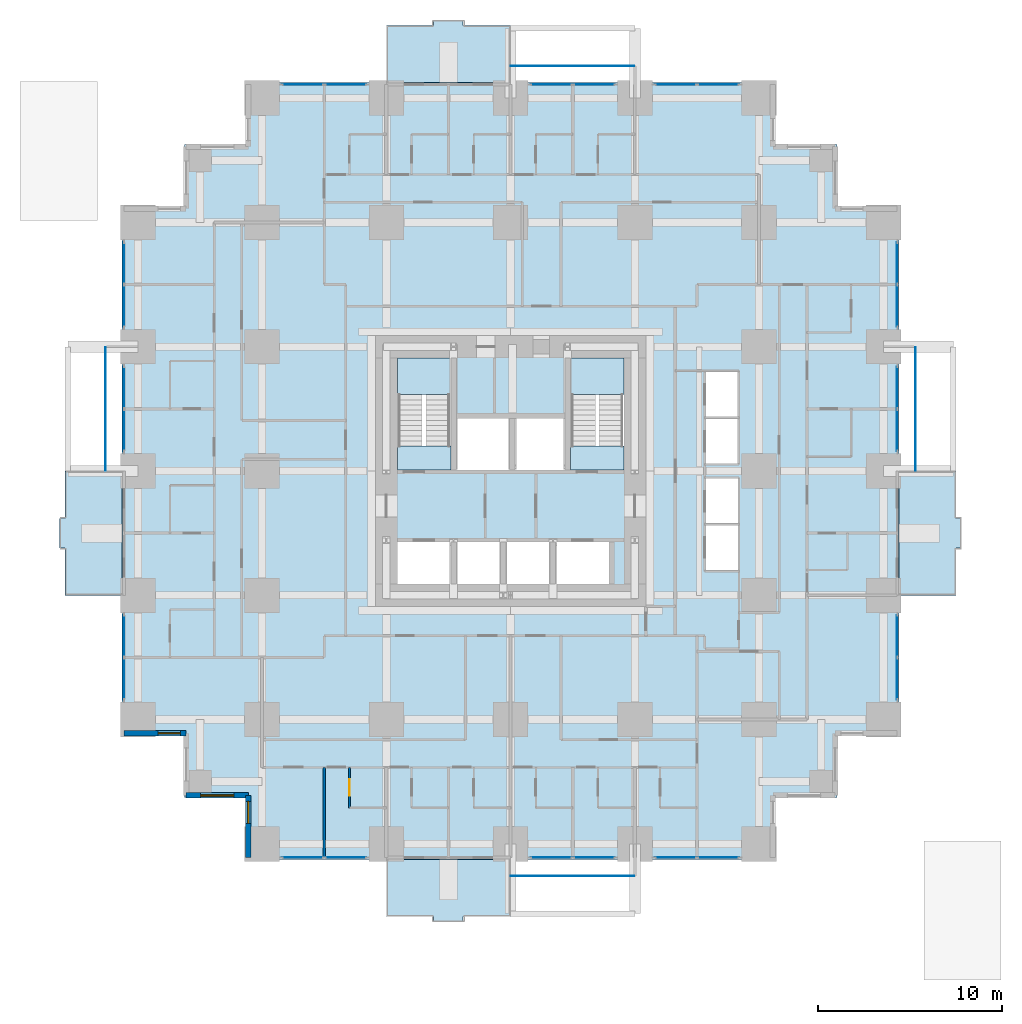
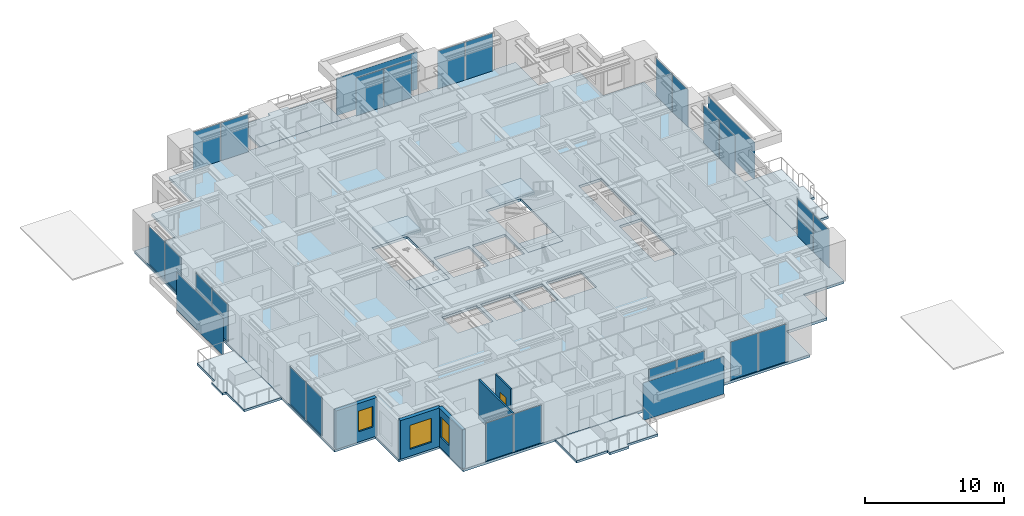
# One storey, part 7 of 14: 28 plates, 9 slabs, 5 walls, 3 windows, 1 door, 4 openings, 14 elements without a shape of their own.
"""IFC4 building model written with IfcOpenShell, lengths in metres."""

from ifc_helpers import new_model, si_unit, direction, frame, frame_2d, origin, origin_2d, place, context, subcontext, project, spatial, polyline, rectangle, outline, extrude, material, layer, layer_set, type_object, element, fill, aggregate, save


model = new_model("IFC4")

# Units and contexts
model_context = context("Model", 3, precision=1e-05, world=origin(), true_north=direction((0.0, 1.0)))
body_context = subcontext(model_context, "Body", "Model", "MODEL_VIEW")
ifc_project = project(units=[si_unit("LENGTHUNIT", "METRE"), si_unit("AREAUNIT", "SQUARE_METRE"), si_unit("VOLUMEUNIT", "CUBIC_METRE"), si_unit("PLANEANGLEUNIT", "RADIAN"), si_unit("MASSUNIT", "GRAM", prefix="KILO")], contexts=[model_context])

# Site, building, storey
site_placement = place(None, origin())
site = spatial("IfcSite", under=ifc_project, at=site_placement, CompositionType="ELEMENT")
building_placement = place(site_placement, origin())
building = spatial("IfcBuilding", under=site, at=building_placement, Name="Nyansa Garden Tower", CompositionType="ELEMENT")
storey_placement = place(building_placement, frame((0.0, 0.0, 18.0)))
storey = spatial("IfcBuildingStorey", under=building, at=storey_placement, Name="L04", CompositionType="ELEMENT", Elevation=18.0)

# Slabs
ifc_material_1 = material(Name="Concrete C40/50", Category="concrete")
ifc_layer_1 = layer(ifc_material_1, 0.199951171875)
ifc_layer_set_1 = layer_set([ifc_layer_1], Name="Balcony slab BS200")
slab_type_1 = type_object("IfcSlabType", Name="Balcony slab BS200", PredefinedType="FLOOR", material=ifc_layer_set_1)
slab_1_placement = place(storey_placement, frame((0.0, 0.0, -0.239990234375)))
element("IfcSlab", 1, at=slab_1_placement, inside=storey, type_object=slab_type_1, Name="Balcony L04 S", PredefinedType="FLOOR", context=body_context, shape_type="SweptSolid", body=[
    extrude(outline(polyline([(13.5, -0.85009765625), (20.25, -0.85009765625), (20.25, -3.949951171875), (17.675048828125, -3.949951171875), (17.675048828125, -4.25), (16.074951171875, -4.25), (16.074951171875, -3.949951171875), (13.5, -3.949951171875), (13.5, -0.85009765625)])), origin(), (0.0, 0.0, 1.0), 0.199951171875),
])
slab_2_placement = place(storey_placement, frame((0.0, 0.0, -0.239990234375)))
element("IfcSlab", 2, at=slab_2_placement, inside=storey, type_object=slab_type_1, Name="Balcony L04 E", PredefinedType="FLOOR", context=body_context, shape_type="SweptSolid", body=[
    extrude(outline(polyline([(41.35009765625, 13.5), (41.35009765625, 20.25), (44.449951171875, 20.25), (44.449951171875, 17.675048828125), (44.75, 17.675048828125), (44.75, 16.074951171875), (44.449951171875, 16.074951171875), (44.449951171875, 13.5), (41.35009765625, 13.5)])), origin(), (0.0, 0.0, 1.0), 0.199951171875),
])
slab_3_placement = place(storey_placement, frame((0.0, 0.0, -0.239990234375)))
element("IfcSlab", 3, at=slab_3_placement, inside=storey, type_object=slab_type_1, Name="Balcony L04 N", PredefinedType="FLOOR", context=body_context, shape_type="SweptSolid", body=[
    extrude(outline(polyline([(13.5, 41.35009765625), (20.25, 41.35009765625), (20.25, 44.449951171875), (17.675048828125, 44.449951171875), (17.675048828125, 44.75), (16.074951171875, 44.75), (16.074951171875, 44.449951171875), (13.5, 44.449951171875), (13.5, 41.35009765625)])), origin(), (0.0, 0.0, 1.0), 0.199951171875),
])
slab_4_placement = place(storey_placement, frame((0.0, 0.0, -0.239990234375)))
element("IfcSlab", 4, at=slab_4_placement, inside=storey, type_object=slab_type_1, Name="Balcony L04 W", PredefinedType="FLOOR", context=body_context, shape_type="SweptSolid", body=[
    extrude(outline(polyline([(-0.85009765625, 13.5), (-0.85009765625, 20.25), (-3.949951171875, 20.25), (-3.949951171875, 17.675048828125), (-4.25, 17.675048828125), (-4.25, 16.074951171875), (-3.949951171875, 16.074951171875), (-3.949951171875, 13.5), (-0.85009765625, 13.5)])), origin(), (0.0, 0.0, 1.0), 0.199951171875),
])

# Curtain wall, plates
ifc_material_2 = material(Name="Black anodised aluminium, dark tinted double glazing", Category="aluminium")
curtain_wall_type = type_object("IfcCurtainWallType", Name="Inner skin curtain wall ISW-A", PredefinedType="USERDEFINED", material=ifc_material_2)
curtain_wall_1_placement = place(storey_placement, origin())
curtain_wall_1 = element("IfcCurtainWall", 5, at=curtain_wall_1_placement, inside=storey, type_object=curtain_wall_type, Name="Inner skin curtain wall L04 E", ObjectType="UNITISED CURTAIN WALL", PredefinedType="USERDEFINED")
ifc_material_3 = material(Name="Dark tinted laminated double glazing", Category="glass")
ifc_layer_2 = layer(ifc_material_3, 0.031982421875)
ifc_layer_set_2 = layer_set([ifc_layer_2], Name="Dark tinted vision panel VP-A")
plate_type_1 = type_object("IfcPlateType", Name="Dark tinted vision panel VP-A", PredefinedType="CURTAIN_PANEL", material=ifc_layer_set_2)
plate_1_placement = place(storey_placement, frame((41.25, 8.96240234375, 0.0), z_axis=(0.0, 0.0, 1.0), x_axis=(0.0, 1.0, 0.0)))
plate_1 = element("IfcPlate", 6, at=plate_1_placement, type_object=plate_type_1, Name="ISW-A panel 1", PredefinedType="CURTAIN_PANEL", context=body_context, shape_type="SweptSolid", body=[
    extrude(rectangle(XDim=2.260009765625, YDim=0.031982421875, at=origin_2d()), origin(), (0.0, 0.0, 1.0), 3.31005859375),
])
plate_2_placement = place(storey_placement, frame((41.25, 11.28759765625, 0.0), z_axis=(0.0, 0.0, 1.0), x_axis=(0.0, 1.0, 0.0)))
plate_2 = element("IfcPlate", 7, at=plate_2_placement, type_object=plate_type_1, Name="ISW-A panel 2", PredefinedType="CURTAIN_PANEL", context=body_context, shape_type="SweptSolid", body=[
    extrude(rectangle(XDim=2.260009765625, YDim=0.031982421875, at=origin_2d()), origin(), (0.0, 0.0, 1.0), 3.31005859375),
])
aggregate(curtain_wall_1, [plate_1, plate_2])

curtain_wall_2_placement = place(storey_placement, origin())
curtain_wall_2 = element("IfcCurtainWall", 8, at=curtain_wall_2_placement, inside=storey, type_object=curtain_wall_type, Name="Inner skin curtain wall L04 E", ObjectType="UNITISED CURTAIN WALL", PredefinedType="USERDEFINED")
plate_3_placement = place(storey_placement, frame((41.25, 22.46240234375, 0.0), z_axis=(0.0, 0.0, 1.0), x_axis=(0.0, 1.0, 0.0)))
plate_3 = element("IfcPlate", 9, at=plate_3_placement, type_object=plate_type_1, Name="ISW-A panel 1", PredefinedType="CURTAIN_PANEL", context=body_context, shape_type="SweptSolid", body=[
    extrude(rectangle(XDim=2.260009765625, YDim=0.031982421875, at=origin_2d()), origin(), (0.0, 0.0, 1.0), 3.31005859375),
])
plate_4_placement = place(storey_placement, frame((41.25, 24.78759765625, 0.0), z_axis=(0.0, 0.0, 1.0), x_axis=(0.0, 1.0, 0.0)))
plate_4 = element("IfcPlate", 10, at=plate_4_placement, type_object=plate_type_1, Name="ISW-A panel 2", PredefinedType="CURTAIN_PANEL", context=body_context, shape_type="SweptSolid", body=[
    extrude(rectangle(XDim=2.260009765625, YDim=0.031982421875, at=origin_2d()), origin(), (0.0, 0.0, 1.0), 3.31005859375),
])
aggregate(curtain_wall_2, [plate_3, plate_4])

curtain_wall_3_placement = place(storey_placement, origin())
curtain_wall_3 = element("IfcCurtainWall", 11, at=curtain_wall_3_placement, inside=storey, type_object=curtain_wall_type, Name="Inner skin curtain wall L04 E", ObjectType="UNITISED CURTAIN WALL", PredefinedType="USERDEFINED")
plate_5_placement = place(storey_placement, frame((41.25, 29.21240234375, 0.0), z_axis=(0.0, 0.0, 1.0), x_axis=(0.0, 1.0, 0.0)))
plate_5 = element("IfcPlate", 12, at=plate_5_placement, type_object=plate_type_1, Name="ISW-A panel 1", PredefinedType="CURTAIN_PANEL", context=body_context, shape_type="SweptSolid", body=[
    extrude(rectangle(XDim=2.260009765625, YDim=0.031982421875, at=origin_2d()), origin(), (0.0, 0.0, 1.0), 3.31005859375),
])
plate_6_placement = place(storey_placement, frame((41.25, 31.53759765625, 0.0), z_axis=(0.0, 0.0, 1.0), x_axis=(0.0, 1.0, 0.0)))
plate_6 = element("IfcPlate", 13, at=plate_6_placement, type_object=plate_type_1, Name="ISW-A panel 2", PredefinedType="CURTAIN_PANEL", context=body_context, shape_type="SweptSolid", body=[
    extrude(rectangle(XDim=2.260009765625, YDim=0.031982421875, at=origin_2d()), origin(), (0.0, 0.0, 1.0), 3.31005859375),
])
aggregate(curtain_wall_3, [plate_5, plate_6])

curtain_wall_4_placement = place(storey_placement, origin())
curtain_wall_4 = element("IfcCurtainWall", 14, at=curtain_wall_4_placement, inside=storey, type_object=curtain_wall_type, Name="Inner skin curtain wall L04 N", ObjectType="UNITISED CURTAIN WALL", PredefinedType="USERDEFINED")
plate_7_placement = place(storey_placement, frame((11.28759765625, 41.25, 0.0), z_axis=(0.0, 0.0, 1.0), x_axis=(-1.0, 0.0, 0.0)))
plate_7 = element("IfcPlate", 15, at=plate_7_placement, type_object=plate_type_1, Name="ISW-A panel 1", PredefinedType="CURTAIN_PANEL", context=body_context, shape_type="SweptSolid", body=[
    extrude(rectangle(XDim=2.260009765625, YDim=0.031982421875, at=origin_2d()), origin(), (0.0, 0.0, 1.0), 3.31005859375),
])
plate_8_placement = place(storey_placement, frame((8.96240234375, 41.25, 0.0), z_axis=(0.0, 0.0, 1.0), x_axis=(-1.0, 0.0, 0.0)))
plate_8 = element("IfcPlate", 16, at=plate_8_placement, type_object=plate_type_1, Name="ISW-A panel 2", PredefinedType="CURTAIN_PANEL", context=body_context, shape_type="SweptSolid", body=[
    extrude(rectangle(XDim=2.260009765625, YDim=0.031982421875, at=origin_2d()), origin(), (0.0, 0.0, 1.0), 3.31005859375),
])
aggregate(curtain_wall_4, [plate_7, plate_8])

curtain_wall_5_placement = place(storey_placement, origin())
curtain_wall_5 = element("IfcCurtainWall", 17, at=curtain_wall_5_placement, inside=storey, type_object=curtain_wall_type, Name="Inner skin curtain wall L04 N", ObjectType="UNITISED CURTAIN WALL", PredefinedType="USERDEFINED")
plate_9_placement = place(storey_placement, frame((31.53759765625, 41.25, 0.0), z_axis=(0.0, 0.0, 1.0), x_axis=(-1.0, 0.0, 0.0)))
plate_9 = element("IfcPlate", 18, at=plate_9_placement, type_object=plate_type_1, Name="ISW-A panel 1", PredefinedType="CURTAIN_PANEL", context=body_context, shape_type="SweptSolid", body=[
    extrude(rectangle(XDim=2.260009765625, YDim=0.031982421875, at=origin_2d()), origin(), (0.0, 0.0, 1.0), 3.31005859375),
])
plate_10_placement = place(storey_placement, frame((29.21240234375, 41.25, 0.0), z_axis=(0.0, 0.0, 1.0), x_axis=(-1.0, 0.0, 0.0)))
plate_10 = element("IfcPlate", 19, at=plate_10_placement, type_object=plate_type_1, Name="ISW-A panel 2", PredefinedType="CURTAIN_PANEL", context=body_context, shape_type="SweptSolid", body=[
    extrude(rectangle(XDim=2.260009765625, YDim=0.031982421875, at=origin_2d()), origin(), (0.0, 0.0, 1.0), 3.31005859375),
])
aggregate(curtain_wall_5, [plate_9, plate_10])

curtain_wall_6_placement = place(storey_placement, origin())
curtain_wall_6 = element("IfcCurtainWall", 20, at=curtain_wall_6_placement, inside=storey, type_object=curtain_wall_type, Name="Inner skin curtain wall L04 N", ObjectType="UNITISED CURTAIN WALL", PredefinedType="USERDEFINED")
plate_11_placement = place(storey_placement, frame((24.78759765625, 41.25, 0.0), z_axis=(0.0, 0.0, 1.0), x_axis=(-1.0, 0.0, 0.0)))
plate_11 = element("IfcPlate", 21, at=plate_11_placement, type_object=plate_type_1, Name="ISW-A panel 1", PredefinedType="CURTAIN_PANEL", context=body_context, shape_type="SweptSolid", body=[
    extrude(rectangle(XDim=2.260009765625, YDim=0.031982421875, at=origin_2d()), origin(), (0.0, 0.0, 1.0), 3.31005859375),
])
plate_12_placement = place(storey_placement, frame((22.46240234375, 41.25, 0.0), z_axis=(0.0, 0.0, 1.0), x_axis=(-1.0, 0.0, 0.0)))
plate_12 = element("IfcPlate", 22, at=plate_12_placement, type_object=plate_type_1, Name="ISW-A panel 2", PredefinedType="CURTAIN_PANEL", context=body_context, shape_type="SweptSolid", body=[
    extrude(rectangle(XDim=2.260009765625, YDim=0.031982421875, at=origin_2d()), origin(), (0.0, 0.0, 1.0), 3.31005859375),
])
aggregate(curtain_wall_6, [plate_11, plate_12])

curtain_wall_7_placement = place(storey_placement, origin())
curtain_wall_7 = element("IfcCurtainWall", 23, at=curtain_wall_7_placement, inside=storey, type_object=curtain_wall_type, Name="Inner skin curtain wall L04 W", ObjectType="UNITISED CURTAIN WALL", PredefinedType="USERDEFINED")
plate_13_placement = place(storey_placement, frame((-0.75, 11.28759765625, 0.0), z_axis=(0.0, 0.0, 1.0), x_axis=(0.0, -1.0, 0.0)))
plate_13 = element("IfcPlate", 24, at=plate_13_placement, type_object=plate_type_1, Name="ISW-A panel 1", PredefinedType="CURTAIN_PANEL", context=body_context, shape_type="SweptSolid", body=[
    extrude(rectangle(XDim=2.260009765625, YDim=0.031982421875, at=origin_2d()), origin(), (0.0, 0.0, 1.0), 3.31005859375),
])
plate_14_placement = place(storey_placement, frame((-0.75, 8.96240234375, 0.0), z_axis=(0.0, 0.0, 1.0), x_axis=(0.0, -1.0, 0.0)))
plate_14 = element("IfcPlate", 25, at=plate_14_placement, type_object=plate_type_1, Name="ISW-A panel 2", PredefinedType="CURTAIN_PANEL", context=body_context, shape_type="SweptSolid", body=[
    extrude(rectangle(XDim=2.260009765625, YDim=0.031982421875, at=origin_2d()), origin(), (0.0, 0.0, 1.0), 3.31005859375),
])
aggregate(curtain_wall_7, [plate_13, plate_14])

curtain_wall_8_placement = place(storey_placement, origin())
curtain_wall_8 = element("IfcCurtainWall", 26, at=curtain_wall_8_placement, inside=storey, type_object=curtain_wall_type, Name="Inner skin curtain wall L04 W", ObjectType="UNITISED CURTAIN WALL", PredefinedType="USERDEFINED")
plate_15_placement = place(storey_placement, frame((-0.75, 31.53759765625, 0.0), z_axis=(0.0, 0.0, 1.0), x_axis=(0.0, -1.0, 0.0)))
plate_15 = element("IfcPlate", 27, at=plate_15_placement, type_object=plate_type_1, Name="ISW-A panel 1", PredefinedType="CURTAIN_PANEL", context=body_context, shape_type="SweptSolid", body=[
    extrude(rectangle(XDim=2.260009765625, YDim=0.031982421875, at=origin_2d()), origin(), (0.0, 0.0, 1.0), 3.31005859375),
])
plate_16_placement = place(storey_placement, frame((-0.75, 29.21240234375, 0.0), z_axis=(0.0, 0.0, 1.0), x_axis=(0.0, -1.0, 0.0)))
plate_16 = element("IfcPlate", 28, at=plate_16_placement, type_object=plate_type_1, Name="ISW-A panel 2", PredefinedType="CURTAIN_PANEL", context=body_context, shape_type="SweptSolid", body=[
    extrude(rectangle(XDim=2.260009765625, YDim=0.031982421875, at=origin_2d()), origin(), (0.0, 0.0, 1.0), 3.31005859375),
])
aggregate(curtain_wall_8, [plate_15, plate_16])

curtain_wall_9_placement = place(storey_placement, origin())
curtain_wall_9 = element("IfcCurtainWall", 29, at=curtain_wall_9_placement, inside=storey, type_object=curtain_wall_type, Name="Inner skin curtain wall L04 W", ObjectType="UNITISED CURTAIN WALL", PredefinedType="USERDEFINED")
plate_17_placement = place(storey_placement, frame((-0.75, 24.78759765625, 0.0), z_axis=(0.0, 0.0, 1.0), x_axis=(0.0, -1.0, 0.0)))
plate_17 = element("IfcPlate", 30, at=plate_17_placement, type_object=plate_type_1, Name="ISW-A panel 1", PredefinedType="CURTAIN_PANEL", context=body_context, shape_type="SweptSolid", body=[
    extrude(rectangle(XDim=2.260009765625, YDim=0.031982421875, at=origin_2d()), origin(), (0.0, 0.0, 1.0), 3.31005859375),
])
plate_18_placement = place(storey_placement, frame((-0.75, 22.46240234375, 0.0), z_axis=(0.0, 0.0, 1.0), x_axis=(0.0, -1.0, 0.0)))
plate_18 = element("IfcPlate", 31, at=plate_18_placement, type_object=plate_type_1, Name="ISW-A panel 2", PredefinedType="CURTAIN_PANEL", context=body_context, shape_type="SweptSolid", body=[
    extrude(rectangle(XDim=2.260009765625, YDim=0.031982421875, at=origin_2d()), origin(), (0.0, 0.0, 1.0), 3.31005859375),
])
aggregate(curtain_wall_9, [plate_17, plate_18])

curtain_wall_10_placement = place(storey_placement, origin())
curtain_wall_10 = element("IfcCurtainWall", 32, at=curtain_wall_10_placement, inside=storey, type_object=curtain_wall_type, Name="Inner skin curtain wall L04 S", ObjectType="UNITISED CURTAIN WALL", PredefinedType="USERDEFINED")
plate_19_placement = place(storey_placement, frame((8.96240234375, -0.75, 0.0), z_axis=(0.0, 0.0, 1.0), x_axis=(1.0, 0.0, 0.0)))
plate_19 = element("IfcPlate", 33, at=plate_19_placement, type_object=plate_type_1, Name="ISW-A panel 1", PredefinedType="CURTAIN_PANEL", context=body_context, shape_type="SweptSolid", body=[
    extrude(rectangle(XDim=2.260009765625, YDim=0.031982421875, at=origin_2d()), origin(), (0.0, 0.0, 1.0), 3.31005859375),
])
plate_20_placement = place(storey_placement, frame((11.28759765625, -0.75, 0.0), z_axis=(0.0, 0.0, 1.0), x_axis=(1.0, 0.0, 0.0)))
plate_20 = element("IfcPlate", 34, at=plate_20_placement, type_object=plate_type_1, Name="ISW-A panel 2", PredefinedType="CURTAIN_PANEL", context=body_context, shape_type="SweptSolid", body=[
    extrude(rectangle(XDim=2.260009765625, YDim=0.031982421875, at=origin_2d()), origin(), (0.0, 0.0, 1.0), 3.31005859375),
])
aggregate(curtain_wall_10, [plate_19, plate_20])

curtain_wall_11_placement = place(storey_placement, origin())
curtain_wall_11 = element("IfcCurtainWall", 35, at=curtain_wall_11_placement, inside=storey, type_object=curtain_wall_type, Name="Inner skin curtain wall L04 S", ObjectType="UNITISED CURTAIN WALL", PredefinedType="USERDEFINED")
plate_21_placement = place(storey_placement, frame((22.46240234375, -0.75, 0.0), z_axis=(0.0, 0.0, 1.0), x_axis=(1.0, 0.0, 0.0)))
plate_21 = element("IfcPlate", 36, at=plate_21_placement, type_object=plate_type_1, Name="ISW-A panel 1", PredefinedType="CURTAIN_PANEL", context=body_context, shape_type="SweptSolid", body=[
    extrude(rectangle(XDim=2.260009765625, YDim=0.031982421875, at=origin_2d()), origin(), (0.0, 0.0, 1.0), 3.31005859375),
])
plate_22_placement = place(storey_placement, frame((24.78759765625, -0.75, 0.0), z_axis=(0.0, 0.0, 1.0), x_axis=(1.0, 0.0, 0.0)))
plate_22 = element("IfcPlate", 37, at=plate_22_placement, type_object=plate_type_1, Name="ISW-A panel 2", PredefinedType="CURTAIN_PANEL", context=body_context, shape_type="SweptSolid", body=[
    extrude(rectangle(XDim=2.260009765625, YDim=0.031982421875, at=origin_2d()), origin(), (0.0, 0.0, 1.0), 3.31005859375),
])
aggregate(curtain_wall_11, [plate_21, plate_22])

curtain_wall_12_placement = place(storey_placement, origin())
curtain_wall_12 = element("IfcCurtainWall", 38, at=curtain_wall_12_placement, inside=storey, type_object=curtain_wall_type, Name="Inner skin curtain wall L04 S", ObjectType="UNITISED CURTAIN WALL", PredefinedType="USERDEFINED")
plate_23_placement = place(storey_placement, frame((29.21240234375, -0.75, 0.0), z_axis=(0.0, 0.0, 1.0), x_axis=(1.0, 0.0, 0.0)))
plate_23 = element("IfcPlate", 39, at=plate_23_placement, type_object=plate_type_1, Name="ISW-A panel 1", PredefinedType="CURTAIN_PANEL", context=body_context, shape_type="SweptSolid", body=[
    extrude(rectangle(XDim=2.260009765625, YDim=0.031982421875, at=origin_2d()), origin(), (0.0, 0.0, 1.0), 3.31005859375),
])
plate_24_placement = place(storey_placement, frame((31.53759765625, -0.75, 0.0), z_axis=(0.0, 0.0, 1.0), x_axis=(1.0, 0.0, 0.0)))
plate_24 = element("IfcPlate", 40, at=plate_24_placement, type_object=plate_type_1, Name="ISW-A panel 2", PredefinedType="CURTAIN_PANEL", context=body_context, shape_type="SweptSolid", body=[
    extrude(rectangle(XDim=2.260009765625, YDim=0.031982421875, at=origin_2d()), origin(), (0.0, 0.0, 1.0), 3.31005859375),
])
aggregate(curtain_wall_12, [plate_23, plate_24])

# Slab
ifc_material_4 = material(Name="Concrete C40/50", Category="concrete")
ifc_layer_3 = layer(ifc_material_4, 0.22509765625)
ifc_layer_set_3 = layer_set([ifc_layer_3], Name="Floor slab FS225")
slab_type_2 = type_object("IfcSlabType", Name="Floor slab FS225", PredefinedType="FLOOR", material=ifc_layer_set_3)
slab_5_placement = place(storey_placement, frame((0.0, 0.0, -0.22509765625)))
element("IfcSlab", 41, at=slab_5_placement, inside=storey, type_object=slab_type_2, Name="Floor slab L04", PredefinedType="FLOOR", context=body_context, shape_type="SweptSolid", body=[
    extrude(outline(polyline([(41.35009765625, 5.89990234375), (37.97509765625, 5.89990234375), (37.97509765625, 2.52490234375), (34.60009765625, 2.52490234375), (34.60009765625, -0.85009765625), (5.89990234375, -0.85009765625), (5.89990234375, 2.52490234375), (2.52490234375, 2.52490234375), (2.52490234375, 5.89990234375), (-0.85009765625, 5.89990234375), (-0.85009765625, 34.60009765625), (2.52490234375, 34.60009765625), (2.52490234375, 37.97509765625), (5.89990234375, 37.97509765625), (5.89990234375, 41.35009765625), (34.60009765625, 41.35009765625), (34.60009765625, 37.97509765625), (37.97509765625, 37.97509765625), (37.97509765625, 34.60009765625), (41.35009765625, 34.60009765625), (41.35009765625, 5.89990234375)]), holes=[polyline([(14.10009765625, 14.10009765625), (17.0, 14.10009765625), (17.0, 16.39990234375), (14.10009765625, 16.39990234375), (14.10009765625, 14.10009765625)]), polyline([(17.300048828125, 14.10009765625), (19.699951171875, 14.10009765625), (19.699951171875, 16.39990234375), (17.300048828125, 16.39990234375), (17.300048828125, 14.10009765625)]), polyline([(20.0, 14.10009765625), (22.39990234375, 14.10009765625), (22.39990234375, 16.39990234375), (20.0, 16.39990234375), (20.0, 14.10009765625)]), polyline([(22.699951171875, 14.10009765625), (25.60009765625, 14.10009765625), (25.60009765625, 16.39990234375), (22.699951171875, 16.39990234375), (22.699951171875, 14.10009765625)]), polyline([(17.300048828125, 20.300048828125), (20.199951171875, 20.300048828125), (20.199951171875, 23.10009765625), (17.300048828125, 23.10009765625), (17.300048828125, 20.300048828125)]), polyline([(20.5, 20.300048828125), (23.199951171875, 20.300048828125), (23.199951171875, 23.10009765625), (20.5, 23.10009765625), (20.5, 20.300048828125)]), polyline([(30.800048828125, 14.800048828125), (32.64990234375, 14.800048828125), (32.64990234375, 19.89990234375), (30.800048828125, 19.89990234375), (30.800048828125, 14.800048828125)]), polyline([(30.800048828125, 20.60009765625), (32.64990234375, 20.60009765625), (32.64990234375, 25.699951171875), (30.800048828125, 25.699951171875), (30.800048828125, 20.60009765625)]), polyline([(14.10009765625, 20.300048828125), (17.0, 20.300048828125), (17.0, 26.39990234375), (14.10009765625, 26.39990234375), (14.10009765625, 20.300048828125)]), polyline([(23.5, 20.300048828125), (26.39990234375, 20.300048828125), (26.39990234375, 26.39990234375), (23.5, 26.39990234375), (23.5, 20.300048828125)])]), origin(), (0.0, 0.0, 1.0), 0.22509765625),
])

# Plates
ifc_material_5 = material(Name="Dark tinted laminated glass", Category="glass")
ifc_layer_4 = layer(ifc_material_5, 0.02392578125)
ifc_layer_set_4 = layer_set([ifc_layer_4], Name="Outer skin glass panel OS1")
plate_type_2 = type_object("IfcPlateType", Name="Outer skin glass panel OS1", PredefinedType="USERDEFINED", material=ifc_layer_set_4)
for number, where, z_axis, x_axis, name in (
    (42, (42.25, 23.625, -0.22509765625), (0.0, 0.0, 1.0), (0.0, 1.0, 0.0), "Outer skin glass panel L04"),
    (43, (23.625, 42.25, -0.22509765625), (0.0, 0.0, 1.0), (1.0, 0.0, 0.0), "Outer skin glass panel L04"),
    (44, (-1.75, 23.625, -0.22509765625), (0.0, 0.0, 1.0), (0.0, 1.0, 0.0), "Outer skin glass panel L04"),
    (45, (23.625, -1.75, -0.22509765625), (0.0, 0.0, 1.0), (1.0, 0.0, 0.0), "Outer skin glass panel L04"),
):
    element("IfcPlate", number, at=place(storey_placement, frame(where, z_axis=z_axis, x_axis=x_axis)), inside=storey, type_object=plate_type_2, Name=name, ObjectType="OUTER SKIN GLASS", PredefinedType="USERDEFINED", context=body_context, shape_type="SweptSolid", body=[
        extrude(rectangle(XDim=6.7099609375, YDim=0.02392578125, at=origin_2d()), origin(), (0.0, 0.0, 1.0), 3.300048828125),
    ])

# Stair, slabs
ifc_material_6 = material(Name="Precast concrete C40/50", Category="concrete")
stair_type_1 = type_object("IfcStairType", Name="Stair S1 164x280", PredefinedType="HALF_TURN_STAIR", material=ifc_material_6)
stair_1_placement = place(storey_placement, origin())
stair_1 = element("IfcStair", 46, at=stair_1_placement, inside=storey, type_object=stair_type_1, Name="Stair S1 L04", PredefinedType="HALF_TURN_STAIR")
ifc_material_7 = material(Name="Concrete C40/50", Category="concrete")
ifc_layer_5 = layer(ifc_material_7, 0.199951171875)
ifc_layer_set_5 = layer_set([ifc_layer_5], Name="Stair landing SL200")
slab_type_3 = type_object("IfcSlabType", Name="Stair landing SL200", PredefinedType="LANDING", material=ifc_layer_set_5)
slab_6_placement = place(storey_placement, frame((0.0, 0.0, -0.199951171875)))
slab_6 = element("IfcSlab", 47, at=slab_6_placement, type_object=slab_type_3, Name="S1 landing 1", PredefinedType="LANDING", context=body_context, shape_type="SweptSolid", body=[
    extrude(outline(polyline([(14.10009765625, 20.300048828125), (17.0, 20.300048828125), (17.0, 21.60009765625), (14.10009765625, 21.60009765625), (14.10009765625, 20.300048828125)])), origin(), (0.0, 0.0, 1.0), 0.199951171875),
])
slab_7_placement = place(storey_placement, frame((0.0, 0.0, 1.60009765625)))
slab_7 = element("IfcSlab", 48, at=slab_7_placement, type_object=slab_type_3, Name="S1 landing 2", PredefinedType="LANDING", context=body_context, shape_type="SweptSolid", body=[
    extrude(outline(polyline([(14.10009765625, 24.39990234375), (17.0, 24.39990234375), (17.0, 26.39990234375), (14.10009765625, 26.39990234375), (14.10009765625, 24.39990234375)])), origin(), (0.0, 0.0, 1.0), 0.199951171875),
])
aggregate(stair_1, [slab_6, slab_7])

ifc_material_8 = material(Name="Precast concrete C40/50", Category="concrete")
stair_type_2 = type_object("IfcStairType", Name="Stair S2 164x280", PredefinedType="HALF_TURN_STAIR", material=ifc_material_8)
stair_2_placement = place(storey_placement, origin())
stair_2 = element("IfcStair", 49, at=stair_2_placement, inside=storey, type_object=stair_type_2, Name="Stair S2 L04", PredefinedType="HALF_TURN_STAIR")
slab_8_placement = place(storey_placement, frame((0.0, 0.0, -0.199951171875)))
slab_8 = element("IfcSlab", 50, at=slab_8_placement, type_object=slab_type_3, Name="S2 landing 1", PredefinedType="LANDING", context=body_context, shape_type="SweptSolid", body=[
    extrude(outline(polyline([(23.5, 20.300048828125), (26.39990234375, 20.300048828125), (26.39990234375, 21.60009765625), (23.5, 21.60009765625), (23.5, 20.300048828125)])), origin(), (0.0, 0.0, 1.0), 0.199951171875),
])
slab_9_placement = place(storey_placement, frame((0.0, 0.0, 1.60009765625)))
slab_9 = element("IfcSlab", 51, at=slab_9_placement, type_object=slab_type_3, Name="S2 landing 2", PredefinedType="LANDING", context=body_context, shape_type="SweptSolid", body=[
    extrude(outline(polyline([(23.5, 24.39990234375), (26.39990234375, 24.39990234375), (26.39990234375, 26.39990234375), (23.5, 26.39990234375), (23.5, 24.39990234375)])), origin(), (0.0, 0.0, 1.0), 0.199951171875),
])
aggregate(stair_2, [slab_8, slab_9])

# Wall
ifc_material_9 = material(Name="Blockwork, plastered both sides", Category="masonry")
ifc_layer_6 = layer(ifc_material_9, 0.14990234375)
ifc_layer_set_6 = layer_set([ifc_layer_6], Name="Partition PW150")
wall_type_1 = type_object("IfcWallType", Name="Partition PW150", PredefinedType="PARTITIONING", material=ifc_layer_set_6)
wall_1_placement = place(storey_placement, frame((10.125, -0.73388671875, 0.0), z_axis=(0.0, 0.0, 1.0), x_axis=(0.0, 1.0, 0.0)))
element("IfcWall", 52, at=wall_1_placement, inside=storey, type_object=wall_type_1, Name="Partition", PredefinedType="PARTITIONING", context=body_context, shape_type="SweptSolid", body=[
    extrude(rectangle(XDim=4.8837890625, YDim=0.14990234375, at=frame_2d((2.44189453125, 0.0))), origin(), (0.0, 0.0, 1.0), 3.375),
])

# Wall, opening, window
ifc_material_10 = material(Name="Turquoise glazed tile on concrete blockwork", Category="masonry")
ifc_layer_7 = layer(ifc_material_10, 0.300048828125)
ifc_layer_set_7 = layer_set([ifc_layer_7], Name="Tiled corner wall TW300")
wall_type_2 = type_object("IfcWallType", Name="Tiled corner wall TW300", PredefinedType="SOLIDWALL", material=ifc_layer_set_7)
wall_2_placement = place(storey_placement, frame((-0.75, 6.0, 0.0), z_axis=(0.0, 0.0, 1.0), x_axis=(1.0, 0.0, 0.0)))
wall_2 = element("IfcWall", 53, at=wall_2_placement, inside=storey, type_object=wall_type_2, Name="Tiled corner wall L04", PredefinedType="SOLIDWALL", context=body_context, shape_type="SweptSolid", body=[
    extrude(rectangle(XDim=3.375, YDim=0.300048828125, at=frame_2d((1.6875, 0.0))), origin(), (0.0, 0.0, 1.0), 3.375),
])
opening_1_placement = place(wall_2_placement, frame((1.857421875, 0.0, 0.89990234375)))
opening_1 = element("IfcOpeningElement", 54, at=opening_1_placement, cuts=wall_2, Name="Opening W4", PredefinedType="OPENING", context=body_context, shape_type="SweptSolid", body=[
    extrude(rectangle(XDim=1.199951171875, YDim=1.800048828125, at=frame_2d((0.60009765625, 0.89990234375))), frame((0.0, 0.159912109375, 0.0), z_axis=(0.0, -1.0, 0.0), x_axis=(1.0, 0.0, 0.0)), (0.0, 0.0, 1.0), 0.320068359375),
])
ifc_material_11 = material(Name="Black aluminium frame, dark tinted double glazing", Category="aluminium")
window_type_1 = type_object("IfcWindowType", Name="Window W4 1200x1800", PartitioningType="SINGLE_PANEL", PredefinedType="WINDOW", material=ifc_material_11)
window_1_placement = place(opening_1_placement, origin())
window_1 = element("IfcWindow", 55, at=window_1_placement, inside=storey, type_object=window_type_1, Name="Corner window L04", OverallHeight=1.800048828125, OverallWidth=1.199951171875, PartitioningType="SINGLE_PANEL", PredefinedType="WINDOW", context=body_context, shape_type="SweptSolid", body=[
    extrude(rectangle(XDim=1.199951171875, YDim=1.800048828125, at=frame_2d((0.60009765625, 0.89990234375))), frame((0.0, 0.030029296875, 0.0), z_axis=(0.0, -1.0, 0.0), x_axis=(1.0, 0.0, 0.0)), (0.0, 0.0, 1.0), 0.06005859375),
])
fill(opening_1, window_1)

wall_3_placement = place(storey_placement, frame((2.625, 2.625, 0.0), z_axis=(0.0, 0.0, 1.0), x_axis=(1.0, 0.0, 0.0)))
wall_3 = element("IfcWall", 56, at=wall_3_placement, inside=storey, type_object=wall_type_2, Name="Tiled corner wall L04", PredefinedType="SOLIDWALL", context=body_context, shape_type="SweptSolid", body=[
    extrude(rectangle(XDim=3.375, YDim=0.300048828125, at=frame_2d((1.6875, 0.0))), origin(), (0.0, 0.0, 1.0), 3.375),
])
opening_2_placement = place(wall_3_placement, frame((0.78759765625, 0.0, 0.60009765625)))
opening_2 = element("IfcOpeningElement", 57, at=opening_2_placement, cuts=wall_3, Name="Opening W2", PredefinedType="OPENING", context=body_context, shape_type="SweptSolid", body=[
    extrude(rectangle(XDim=1.800048828125, YDim=2.10009765625, at=frame_2d((0.89990234375, 1.050048828125))), frame((0.0, 0.159912109375, 0.0), z_axis=(0.0, -1.0, 0.0), x_axis=(1.0, 0.0, 0.0)), (0.0, 0.0, 1.0), 0.320068359375),
])
ifc_material_12 = material(Name="Black aluminium frame, dark tinted double glazing", Category="aluminium")
window_type_2 = type_object("IfcWindowType", Name="Window W2 1800x2100", PartitioningType="SINGLE_PANEL", PredefinedType="WINDOW", material=ifc_material_12)
window_2_placement = place(opening_2_placement, origin())
window_2 = element("IfcWindow", 58, at=window_2_placement, inside=storey, type_object=window_type_2, Name="Corner window L04", OverallHeight=2.10009765625, OverallWidth=1.800048828125, PartitioningType="SINGLE_PANEL", PredefinedType="WINDOW", context=body_context, shape_type="SweptSolid", body=[
    extrude(rectangle(XDim=1.800048828125, YDim=2.10009765625, at=frame_2d((0.89990234375, 1.050048828125))), frame((0.0, 0.030029296875, 0.0), z_axis=(0.0, -1.0, 0.0), x_axis=(1.0, 0.0, 0.0)), (0.0, 0.0, 1.0), 0.06005859375),
])
fill(opening_2, window_2)

wall_4_placement = place(storey_placement, frame((6.0, 2.625, 0.0), z_axis=(0.0, 0.0, 1.0), x_axis=(0.0, -1.0, 0.0)))
wall_4 = element("IfcWall", 59, at=wall_4_placement, inside=storey, type_object=wall_type_2, Name="Tiled corner wall L04", PredefinedType="SOLIDWALL", context=body_context, shape_type="SweptSolid", body=[
    extrude(rectangle(XDim=3.375, YDim=0.300048828125, at=frame_2d((1.6875, 0.0))), origin(), (0.0, 0.0, 1.0), 3.375),
])
opening_3_placement = place(wall_4_placement, frame((0.3173828125, 0.0, 0.89990234375)))
opening_3 = element("IfcOpeningElement", 60, at=opening_3_placement, cuts=wall_4, Name="Opening W4", PredefinedType="OPENING", context=body_context, shape_type="SweptSolid", body=[
    extrude(rectangle(XDim=1.199951171875, YDim=1.800048828125, at=frame_2d((0.60009765625, 0.89990234375))), frame((0.0, 0.159912109375, 0.0), z_axis=(0.0, -1.0, 0.0), x_axis=(1.0, 0.0, 0.0)), (0.0, 0.0, 1.0), 0.320068359375),
])
window_3_placement = place(opening_3_placement, origin())
window_3 = element("IfcWindow", 61, at=window_3_placement, inside=storey, type_object=window_type_1, Name="Corner window L04", OverallHeight=1.800048828125, OverallWidth=1.199951171875, PartitioningType="SINGLE_PANEL", PredefinedType="WINDOW", context=body_context, shape_type="SweptSolid", body=[
    extrude(rectangle(XDim=1.199951171875, YDim=1.800048828125, at=frame_2d((0.60009765625, 0.89990234375))), frame((0.0, 0.030029296875, 0.0), z_axis=(0.0, -1.0, 0.0), x_axis=(1.0, 0.0, 0.0)), (0.0, 0.0, 1.0), 0.06005859375),
])
fill(opening_3, window_3)

# Wall, opening, door
ifc_material_13 = material(Name="Moisture resistant board on steel studs, tiled", Category="steel")
ifc_layer_8 = layer(ifc_material_13, 0.10009765625)
ifc_layer_set_8 = layer_set([ifc_layer_8], Name="Wet wall PW100")
wall_type_3 = type_object("IfcWallType", Name="Wet wall PW100", PredefinedType="PARTITIONING", material=ifc_layer_set_8)
wall_5_placement = place(storey_placement, frame((11.5, 1.949951171875, 0.0), z_axis=(0.0, 0.0, 1.0), x_axis=(0.0, 1.0, 0.0)))
wall_5 = element("IfcWall", 62, at=wall_5_placement, inside=storey, type_object=wall_type_3, Name="Wet wall", PredefinedType="PARTITIONING", context=body_context, shape_type="SweptSolid", body=[
    extrude(rectangle(XDim=2.199951171875, YDim=0.10009765625, at=frame_2d((1.10009765625, 0.0))), origin(), (0.0, 0.0, 1.0), 3.375),
])
opening_4_placement = place(wall_5_placement, frame((0.64990234375, 0.0, 0.0)))
opening_4 = element("IfcOpeningElement", 63, at=opening_4_placement, cuts=wall_5, Name="Opening D02", PredefinedType="OPENING", context=body_context, shape_type="SweptSolid", body=[
    extrude(rectangle(XDim=0.89990234375, YDim=2.199951171875, at=frame_2d((0.449951171875, 1.10009765625))), frame((0.0, 0.06005859375, 0.0), z_axis=(0.0, -1.0, 0.0), x_axis=(1.0, 0.0, 0.0)), (0.0, 0.0, 1.0), 0.1201171875),
])
ifc_material_14 = material(Name="Timber flush door", Category="wood")
door_type = type_object("IfcDoorType", Name="En-suite door D02 900x2200", OperationType="SINGLE_SWING_RIGHT", PredefinedType="DOOR", material=ifc_material_14)
door_placement = place(opening_4_placement, origin())
door = element("IfcDoor", 64, at=door_placement, inside=storey, type_object=door_type, Name="Door L04-019", OperationType="SINGLE_SWING_RIGHT", OverallHeight=2.199951171875, OverallWidth=0.89990234375, PredefinedType="DOOR", context=body_context, shape_type="SweptSolid", body=[
    extrude(rectangle(XDim=0.89990234375, YDim=2.199951171875, at=frame_2d((0.449951171875, 1.10009765625))), frame((0.0, 0.02490234375, 0.0), z_axis=(0.0, -1.0, 0.0), x_axis=(1.0, 0.0, 0.0)), (0.0, 0.0, 1.0), 0.050048828125),
])
fill(opening_4, door)

save(model, "model.ifc")
